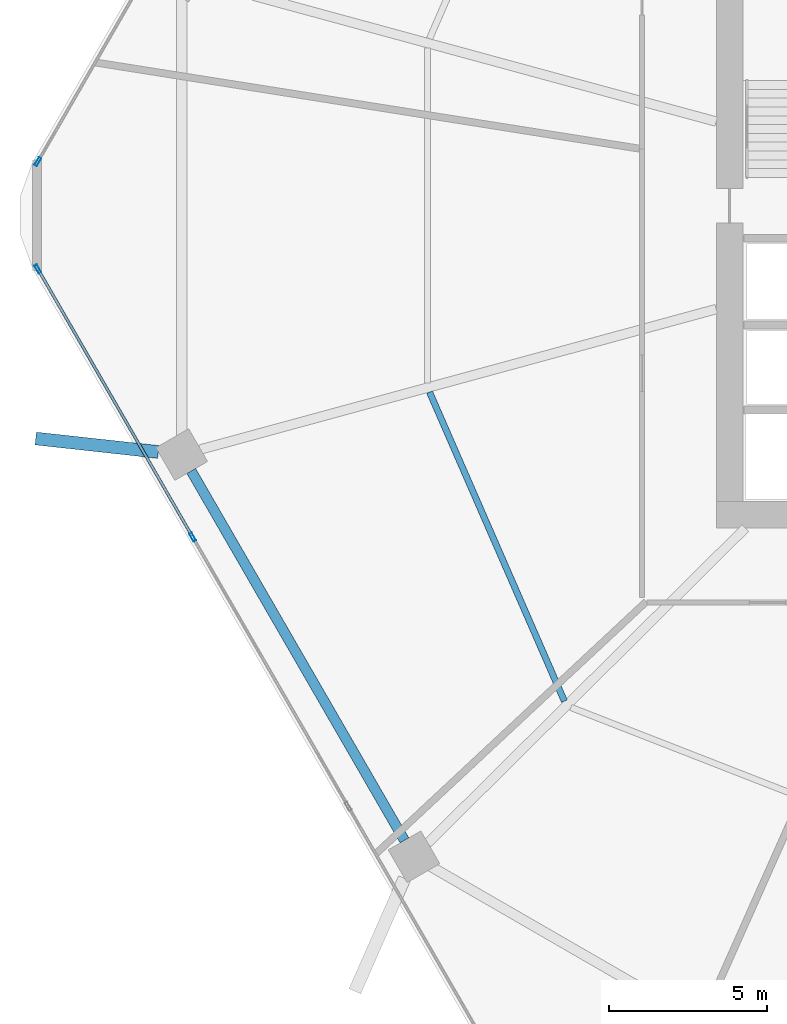
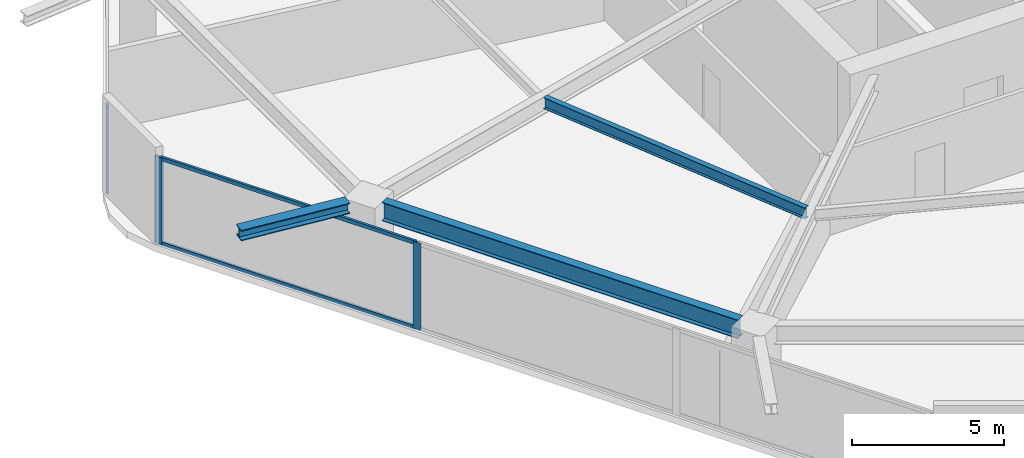
# One storey, part 5 of 25: 5 members, 3 beams, 2 elements without a shape of their own.
"""IFC4 building model written with IfcOpenShell, lengths in metres."""

from ifc_helpers import new_model, si_unit, direction, frame, origin, origin_2d, place, context, subcontext, project, spatial, hollow_rectangle, i_section, extrude, material, material_profile, profile_set, type_object, element, aggregate, save


model = new_model("IFC4")

# Units and contexts
model_context = context("Model", 3, precision=1e-05, world=origin(), true_north=direction((0.0, 1.0)))
body_context = subcontext(model_context, "Body", "Model", "MODEL_VIEW")
ifc_project = project(units=[si_unit("LENGTHUNIT", "METRE"), si_unit("AREAUNIT", "SQUARE_METRE"), si_unit("VOLUMEUNIT", "CUBIC_METRE"), si_unit("PLANEANGLEUNIT", "RADIAN"), si_unit("MASSUNIT", "GRAM", prefix="KILO")], contexts=[model_context])

# Site, building, storey
site_placement = place(None, origin())
site = spatial("IfcSite", under=ifc_project, at=site_placement, CompositionType="ELEMENT")
building_placement = place(site_placement, origin())
building = spatial("IfcBuilding", under=site, at=building_placement, Name="Zuhravey Tower", CompositionType="ELEMENT")
storey_placement = place(building_placement, frame((0.0, 0.0, 70.800048828125)))
storey = spatial("IfcBuildingStorey", under=building, at=storey_placement, Name="L17", CompositionType="ELEMENT", Elevation=70.800048828125)

# Curtain wall, members
ifc_material_1 = material(Name="Thermally broken anodised aluminium", Category="aluminium")
curtain_wall_type = type_object("IfcCurtainWallType", Name="School Low-E Unitised Curtain Wall CW1", PredefinedType="NOTDEFINED", material=ifc_material_1)
curtain_wall_1_placement = place(storey_placement, origin())
curtain_wall_1 = element("IfcCurtainWall", 1, at=curtain_wall_1_placement, inside=storey, type_object=curtain_wall_type, Name="L17 CW1 CW-L17-F4-1", PredefinedType="NOTDEFINED")
ifc_material_2 = material(Name="Anodised aluminium", Category="aluminium")
ifc_material_profile_1 = material_profile(ifc_material_2, hollow_rectangle(XDim=0.090087890625, YDim=0.284912109375, WallThickness=0.0048828125, at=origin_2d()), Name="ALU-RHS-90x285x5")
ifc_profile_set_1 = profile_set([ifc_material_profile_1], Name="Anodised aluminium")
member_type_1 = type_object("IfcMemberType", Name="Curtain-Wall Mullion 90x180", PredefinedType="MULLION", material=ifc_profile_set_1)
member_1_placement = place(storey_placement, frame((8.45458984375, 21.79296875, 0.0), z_axis=(0.0, 0.0, 1.0), x_axis=(-0.86602552265, -0.499999794119, 0.0)))
member_1 = element("IfcMember", 2, at=member_1_placement, type_object=member_type_1, Name="CW1 mullion 3", PredefinedType="MULLION", context=body_context, shape_type="SweptSolid", body=[
    extrude(hollow_rectangle(XDim=0.090087890625, YDim=0.284912109375, WallThickness=0.0048828125, at=origin_2d()), origin(), (0.0, 0.0, 1.0), 3.491943359375),
])
member_2_placement = place(storey_placement, frame((3.5439453125, 30.298583984375, 0.0), z_axis=(0.0, 0.0, 1.0), x_axis=(-0.86602552265, -0.499999794119, 0.0)))
member_2 = element("IfcMember", 3, at=member_2_placement, type_object=member_type_1, Name="CW1 mullion 4", PredefinedType="MULLION", context=body_context, shape_type="SweptSolid", body=[
    extrude(hollow_rectangle(XDim=0.090087890625, YDim=0.284912109375, WallThickness=0.0048828125, at=origin_2d()), origin(), (0.0, 0.0, 1.0), 3.491943359375),
])

# Curtain wall, member
curtain_wall_2_placement = place(storey_placement, origin())
curtain_wall_2 = element("IfcCurtainWall", 4, at=curtain_wall_2_placement, inside=storey, type_object=curtain_wall_type, Name="L17 CW1 CW-L17-F3-1", PredefinedType="NOTDEFINED")
member_3_placement = place(storey_placement, frame((3.5439453125, 33.701416015625, 0.0), z_axis=(0.0, 0.0, 1.0), x_axis=(-0.86602552265, 0.499999794119, 0.0)))
member_3 = element("IfcMember", 5, at=member_3_placement, type_object=member_type_1, Name="CW1 mullion 1", PredefinedType="MULLION", context=body_context, shape_type="SweptSolid", body=[
    extrude(hollow_rectangle(XDim=0.090087890625, YDim=0.284912109375, WallThickness=0.0048828125, at=origin_2d()), origin(), (0.0, 0.0, 1.0), 3.491943359375),
])
aggregate(curtain_wall_2, [member_3])

# Member
ifc_material_profile_2 = material_profile(ifc_material_2, hollow_rectangle(XDim=0.090087890625, YDim=0.14990234375, WallThickness=0.0048828125, at=origin_2d()), Name="ALU-RHS-90x150x5")
ifc_profile_set_2 = profile_set([ifc_material_profile_2], Name="Anodised aluminium")
member_type_2 = type_object("IfcMemberType", Name="Curtain-Wall Transom 90x150", PredefinedType="USERDEFINED", material=ifc_profile_set_2)
member_4_placement = place(storey_placement, frame((8.43212890625, 21.83203125, 0.044921875), z_axis=(-0.500008393077, 0.866020557985, 0.0), x_axis=(-0.866020557985, -0.500008393077, 0.0)))
member_4 = element("IfcMember", 6, at=member_4_placement, type_object=member_type_2, Name="CW1 transom 3.1", ObjectType="TRANSOM", PredefinedType="USERDEFINED", context=body_context, shape_type="SweptSolid", body=[
    extrude(hollow_rectangle(XDim=0.090087890625, YDim=0.14990234375, WallThickness=0.0048828125, at=origin_2d()), origin(), (0.0, 0.0, 1.0), 9.731201171875),
])

member_5_placement = place(storey_placement, frame((8.43212890625, 21.83203125, 3.447021484375), z_axis=(-0.500008393077, 0.866020557985, 0.0), x_axis=(-0.866020557985, -0.500008393077, 0.0)))
member_5 = element("IfcMember", 7, at=member_5_placement, type_object=member_type_2, Name="CW1 transom 3.2", ObjectType="TRANSOM", PredefinedType="USERDEFINED", context=body_context, shape_type="SweptSolid", body=[
    extrude(hollow_rectangle(XDim=0.090087890625, YDim=0.14990234375, WallThickness=0.0048828125, at=origin_2d()), origin(), (0.0, 0.0, 1.0), 9.731201171875),
])

aggregate(curtain_wall_1, [member_1, member_2, member_4, member_5])

# Beams
ifc_material_3 = material(Name="Steel SM460", Category="steel")
ifc_material_profile_3 = material_profile(ifc_material_3, i_section(OverallWidth=0.406982421875, OverallDepth=0.427978515625, WebThickness=0.02001953125, FlangeThickness=0.034912109375, at=origin_2d()), Name="H-428x407x20x35")
ifc_profile_set_3 = profile_set([ifc_material_profile_3], Name="Steel SM460")
beam_type_1 = type_object("IfcBeamType", Name="Exoskeleton Node Tie Beam H428x407", PredefinedType="BEAM", material=ifc_profile_set_3)
beam_1_placement = place(storey_placement, frame((7.3671875, 24.490234375, 3.7060546875), z_axis=(-0.994007881498, 0.109308423825, 0.0), x_axis=(-0.109308423825, -0.994007881498, 0.0)))
element("IfcBeam", 8, at=beam_1_placement, inside=storey, type_object=beam_type_1, Name="L17 Exoskeleton Node Tie NT1-07", PredefinedType="BEAM", context=body_context, shape_type="SweptSolid", body=[
    extrude(i_section(OverallWidth=0.406982421875, OverallDepth=0.427978515625, WebThickness=0.02001953125, FlangeThickness=0.034912109375, at=origin_2d()), origin(), (0.0, 0.0, 1.0), 3.9130859375),
])
ifc_material_4 = material(Name="Steel SM355", Category="steel")
ifc_material_profile_4 = material_profile(ifc_material_4, i_section(OverallWidth=0.320068359375, OverallDepth=0.75, WebThickness=0.013916015625, FlangeThickness=0.02490234375, at=origin_2d()), Name="H-750x320x14x25")
ifc_profile_set_4 = profile_set([ifc_material_profile_4], Name="Steel SM355")
beam_type_2 = type_object("IfcBeamType", Name="Perimeter Ring Beam H750x320", PredefinedType="BEAM", material=ifc_profile_set_4)
beam_2_placement = place(storey_placement, frame((8.412353515625, 23.88623046875, 3.544921875), z_axis=(0.499999877243, -0.866025474658, 0.0), x_axis=(0.866025474658, 0.499999877243, 0.0)))
element("IfcBeam", 9, at=beam_2_placement, inside=storey, type_object=beam_type_2, Name="L17 PB1 BM-L17-PB-07", PredefinedType="BEAM", context=body_context, shape_type="SweptSolid", body=[
    extrude(i_section(OverallWidth=0.320068359375, OverallDepth=0.75, WebThickness=0.013916015625, FlangeThickness=0.02490234375, at=origin_2d()), origin(), (0.0, 0.0, 1.0), 13.5341796875),
])
ifc_material_profile_5 = material_profile(ifc_material_4, i_section(OverallWidth=0.199951171875, OverallDepth=0.449951171875, WebThickness=0.009033203125, FlangeThickness=0.013916015625, at=origin_2d()), Name="H-450x200x9x14")
ifc_profile_set_5 = profile_set([ifc_material_profile_5], Name="Steel SM355")
beam_type_3 = type_object("IfcBeamType", Name="Secondary Floor Joist H450x200", PredefinedType="JOIST", material=ifc_profile_set_5)
beam_3_placement = place(storey_placement, frame((15.974609375, 26.39111328125, 3.695068359375), z_axis=(0.399923551578, -0.916548500022, 0.0), x_axis=(0.916548500022, 0.399923551578, 0.0)))
element("IfcBeam", 10, at=beam_3_placement, inside=storey, type_object=beam_type_3, Name="L17 SJ1 BM-L17-SJ-07-1", PredefinedType="JOIST", context=body_context, shape_type="SweptSolid", body=[
    extrude(i_section(OverallWidth=0.199951171875, OverallDepth=0.449951171875, WebThickness=0.009033203125, FlangeThickness=0.013916015625, at=origin_2d()), origin(), (0.0, 0.0, 1.0), 10.70263671875),
])

save(model, "model.ifc")
